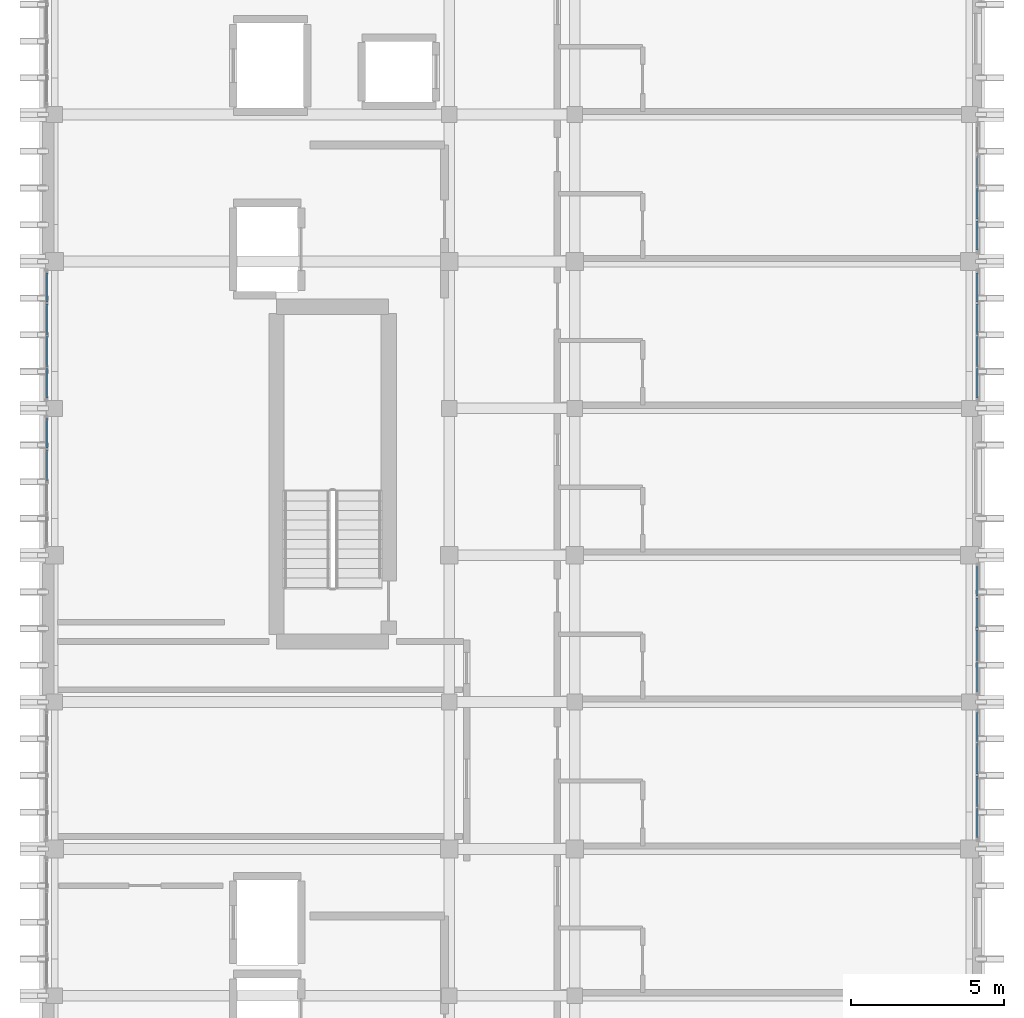
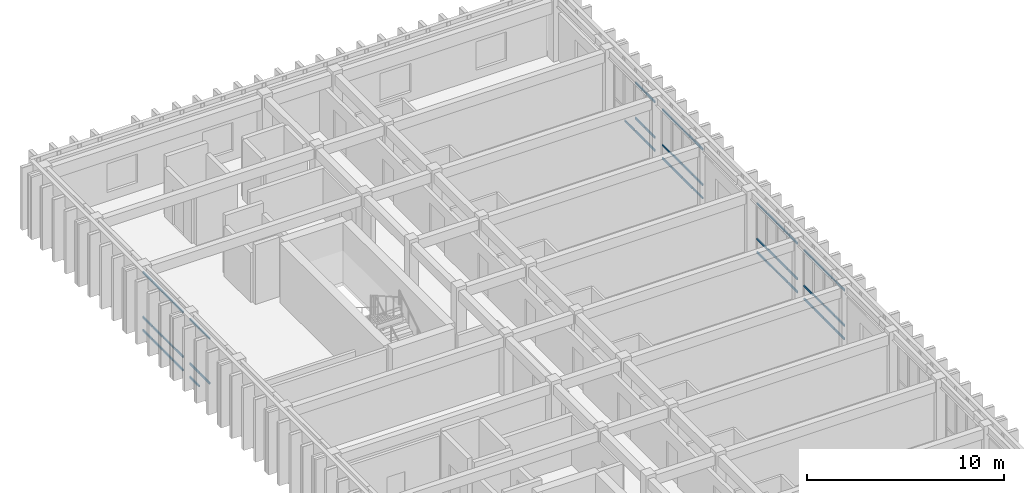
# One storey, part 36 of 49: 60 members, 6 elements without a shape of their own.
"""IFC4 building model written with IfcOpenShell, lengths in metres."""

from ifc_helpers import new_model, si_unit, direction, frame, origin, origin_2d, place, context, subcontext, project, spatial, hollow_rectangle, extrude, material, layer, layer_set, material_profile, profile_set, type_object, element, aggregate, save


model = new_model("IFC4")

# Units and contexts
model_context = context("Model", 3, precision=1e-05, world=origin(), true_north=direction((0.0, 1.0)))
body_context = subcontext(model_context, "Body", "Model", "MODEL_VIEW")
ifc_project = project(units=[si_unit("LENGTHUNIT", "METRE"), si_unit("AREAUNIT", "SQUARE_METRE"), si_unit("VOLUMEUNIT", "CUBIC_METRE"), si_unit("PLANEANGLEUNIT", "RADIAN"), si_unit("MASSUNIT", "GRAM", prefix="KILO")], contexts=[model_context])

# Site, building, storey
site_placement = place(None, origin())
site = spatial("IfcSite", under=ifc_project, at=site_placement, CompositionType="ELEMENT")
building_placement = place(site_placement, origin())
building = spatial("IfcBuilding", under=site, at=building_placement, Name="Nakhvara Creek Congress Hotel", CompositionType="ELEMENT")
storey_placement = place(building_placement, frame((0.0, 0.0, 46.5)))
storey = spatial("IfcBuildingStorey", under=building, at=storey_placement, Name="L11", CompositionType="ELEMENT", Elevation=46.5)

# Curtain wall, members
ifc_material_1 = material(Name="Bronze-anodised aluminium AW-6063-T6 and double-silver low-E glass", Category="aluminium")
ifc_layer = layer(ifc_material_1, 0.199951171875)
ifc_layer_set = layer_set([ifc_layer], Name="Bronze-anodised aluminium AW-6063-T6 and double-silver low-E glass")
curtain_wall_type = type_object("IfcCurtainWallType", Name="CW-HTL-UNIT", PredefinedType="USERDEFINED", material=ifc_layer_set)
curtain_wall_1_placement = place(storey_placement, origin())
curtain_wall_1 = element("IfcCurtainWall", 1, at=curtain_wall_1_placement, inside=storey, type_object=curtain_wall_type, Name="Curtain Wall CW340", ObjectType="UNITISED", PredefinedType="USERDEFINED")
ifc_material_2 = material(Name="Bronze-anodised aluminium AW-6063-T6", Category="aluminium")
ifc_material_profile = material_profile(ifc_material_2, hollow_rectangle(XDim=0.06494140625, YDim=0.1201171875, WallThickness=0.00390625, at=origin_2d()), Name="ALU-TRAN 65x120x4", Category="LoadBearing")
ifc_profile_set = profile_set([ifc_material_profile], Name="Bronze-anodised aluminium AW-6063-T6")
member_type = type_object("IfcMemberType", Name="CW-TRAN-120", PredefinedType="USERDEFINED", material=ifc_profile_set)
member_1_placement = place(storey_placement, frame((179.60009765625, 100.4599609375, 0.032470703125), z_axis=(0.0, -1.0, 0.0), x_axis=(1.0, 0.0, 0.0)))
member_1 = element("IfcMember", 2, at=member_1_placement, type_object=member_type, Name="CW340 transom 1.1", ObjectType="TRANSOM", PredefinedType="USERDEFINED", context=body_context, shape_type="SweptSolid", body=[
    extrude(hollow_rectangle(XDim=0.06494140625, YDim=0.1201171875, WallThickness=0.00390625, at=origin_2d()), origin(), (0.0, 0.0, 1.0), 0.95751953125),
])
member_2_placement = place(storey_placement, frame((179.60009765625, 100.4599609375, 0.85009765625), z_axis=(0.0, -1.0, 0.0), x_axis=(1.0, 0.0, 0.0)))
member_2 = element("IfcMember", 3, at=member_2_placement, type_object=member_type, Name="CW340 transom 1.2", ObjectType="TRANSOM", PredefinedType="USERDEFINED", context=body_context, shape_type="SweptSolid", body=[
    extrude(hollow_rectangle(XDim=0.06494140625, YDim=0.1201171875, WallThickness=0.00390625, at=origin_2d()), origin(), (0.0, 0.0, 1.0), 0.95751953125),
])
member_3_placement = place(storey_placement, frame((179.60009765625, 100.4599609375, 3.03955078125), z_axis=(0.0, -1.0, 0.0), x_axis=(1.0, 0.0, 0.0)))
member_3 = element("IfcMember", 4, at=member_3_placement, type_object=member_type, Name="CW340 transom 1.3", ObjectType="TRANSOM", PredefinedType="USERDEFINED", context=body_context, shape_type="SweptSolid", body=[
    extrude(hollow_rectangle(XDim=0.06494140625, YDim=0.1201171875, WallThickness=0.00390625, at=origin_2d()), origin(), (0.0, 0.0, 1.0), 0.95751953125),
])
member_4_placement = place(storey_placement, frame((179.60009765625, 99.4375, 0.032470703125), z_axis=(0.0, -1.0, 0.0), x_axis=(1.0, 0.0, 0.0)))
member_4 = element("IfcMember", 5, at=member_4_placement, type_object=member_type, Name="CW340 transom 2.1", ObjectType="TRANSOM", PredefinedType="USERDEFINED", context=body_context, shape_type="SweptSolid", body=[
    extrude(hollow_rectangle(XDim=0.06494140625, YDim=0.1201171875, WallThickness=0.00390625, at=origin_2d()), origin(), (0.0, 0.0, 1.0), 0.989990234375),
])
member_5_placement = place(storey_placement, frame((179.60009765625, 99.4375, 0.85009765625), z_axis=(0.0, -1.0, 0.0), x_axis=(1.0, 0.0, 0.0)))
member_5 = element("IfcMember", 6, at=member_5_placement, type_object=member_type, Name="CW340 transom 2.2", ObjectType="TRANSOM", PredefinedType="USERDEFINED", context=body_context, shape_type="SweptSolid", body=[
    extrude(hollow_rectangle(XDim=0.06494140625, YDim=0.1201171875, WallThickness=0.00390625, at=origin_2d()), origin(), (0.0, 0.0, 1.0), 0.989990234375),
])
member_6_placement = place(storey_placement, frame((179.60009765625, 99.4375, 3.03955078125), z_axis=(0.0, -1.0, 0.0), x_axis=(1.0, 0.0, 0.0)))
member_6 = element("IfcMember", 7, at=member_6_placement, type_object=member_type, Name="CW340 transom 2.3", ObjectType="TRANSOM", PredefinedType="USERDEFINED", context=body_context, shape_type="SweptSolid", body=[
    extrude(hollow_rectangle(XDim=0.06494140625, YDim=0.1201171875, WallThickness=0.00390625, at=origin_2d()), origin(), (0.0, 0.0, 1.0), 0.989990234375),
])
member_7_placement = place(storey_placement, frame((179.60009765625, 98.382568359375, 0.032470703125), z_axis=(0.0, -1.0, 0.0), x_axis=(1.0, 0.0, 0.0)))
member_7 = element("IfcMember", 8, at=member_7_placement, type_object=member_type, Name="CW340 transom 3.1", ObjectType="TRANSOM", PredefinedType="USERDEFINED", context=body_context, shape_type="SweptSolid", body=[
    extrude(hollow_rectangle(XDim=0.06494140625, YDim=0.1201171875, WallThickness=0.00390625, at=origin_2d()), origin(), (0.0, 0.0, 1.0), 0.989990234375),
])
member_8_placement = place(storey_placement, frame((179.60009765625, 98.382568359375, 0.85009765625), z_axis=(0.0, -1.0, 0.0), x_axis=(1.0, 0.0, 0.0)))
member_8 = element("IfcMember", 9, at=member_8_placement, type_object=member_type, Name="CW340 transom 3.2", ObjectType="TRANSOM", PredefinedType="USERDEFINED", context=body_context, shape_type="SweptSolid", body=[
    extrude(hollow_rectangle(XDim=0.06494140625, YDim=0.1201171875, WallThickness=0.00390625, at=origin_2d()), origin(), (0.0, 0.0, 1.0), 0.989990234375),
])
member_9_placement = place(storey_placement, frame((179.60009765625, 98.382568359375, 3.03955078125), z_axis=(0.0, -1.0, 0.0), x_axis=(1.0, 0.0, 0.0)))
member_9 = element("IfcMember", 10, at=member_9_placement, type_object=member_type, Name="CW340 transom 3.3", ObjectType="TRANSOM", PredefinedType="USERDEFINED", context=body_context, shape_type="SweptSolid", body=[
    extrude(hollow_rectangle(XDim=0.06494140625, YDim=0.1201171875, WallThickness=0.00390625, at=origin_2d()), origin(), (0.0, 0.0, 1.0), 0.989990234375),
])
member_10_placement = place(storey_placement, frame((179.60009765625, 97.327392578125, 0.032470703125), z_axis=(0.0, -1.0, 0.0), x_axis=(1.0, 0.0, 0.0)))
member_10 = element("IfcMember", 11, at=member_10_placement, type_object=member_type, Name="CW340 transom 4.1", ObjectType="TRANSOM", PredefinedType="USERDEFINED", context=body_context, shape_type="SweptSolid", body=[
    extrude(hollow_rectangle(XDim=0.06494140625, YDim=0.1201171875, WallThickness=0.00390625, at=origin_2d()), origin(), (0.0, 0.0, 1.0), 0.957275390625),
])
member_11_placement = place(storey_placement, frame((179.60009765625, 97.327392578125, 0.85009765625), z_axis=(0.0, -1.0, 0.0), x_axis=(1.0, 0.0, 0.0)))
member_11 = element("IfcMember", 12, at=member_11_placement, type_object=member_type, Name="CW340 transom 4.2", ObjectType="TRANSOM", PredefinedType="USERDEFINED", context=body_context, shape_type="SweptSolid", body=[
    extrude(hollow_rectangle(XDim=0.06494140625, YDim=0.1201171875, WallThickness=0.00390625, at=origin_2d()), origin(), (0.0, 0.0, 1.0), 0.957275390625),
])
member_12_placement = place(storey_placement, frame((179.60009765625, 97.327392578125, 3.03955078125), z_axis=(0.0, -1.0, 0.0), x_axis=(1.0, 0.0, 0.0)))
member_12 = element("IfcMember", 13, at=member_12_placement, type_object=member_type, Name="CW340 transom 4.3", ObjectType="TRANSOM", PredefinedType="USERDEFINED", context=body_context, shape_type="SweptSolid", body=[
    extrude(hollow_rectangle(XDim=0.06494140625, YDim=0.1201171875, WallThickness=0.00390625, at=origin_2d()), origin(), (0.0, 0.0, 1.0), 0.957275390625),
])
aggregate(curtain_wall_1, [member_1, member_2, member_3, member_4, member_5, member_6, member_7, member_8, member_9, member_10, member_11, member_12])

curtain_wall_2_placement = place(storey_placement, origin())
curtain_wall_2 = element("IfcCurtainWall", 14, at=curtain_wall_2_placement, inside=storey, type_object=curtain_wall_type, Name="Curtain Wall CW342", ObjectType="UNITISED", PredefinedType="USERDEFINED")
member_13_placement = place(storey_placement, frame((179.60009765625, 105.22998046875, 0.032470703125), z_axis=(0.0, -1.0, 0.0), x_axis=(1.0, 0.0, 0.0)))
member_13 = element("IfcMember", 15, at=member_13_placement, type_object=member_type, Name="CW342 transom 1.1", ObjectType="TRANSOM", PredefinedType="USERDEFINED", context=body_context, shape_type="SweptSolid", body=[
    extrude(hollow_rectangle(XDim=0.06494140625, YDim=0.1201171875, WallThickness=0.00390625, at=origin_2d()), origin(), (0.0, 0.0, 1.0), 0.95751953125),
])
member_14_placement = place(storey_placement, frame((179.60009765625, 105.22998046875, 0.85009765625), z_axis=(0.0, -1.0, 0.0), x_axis=(1.0, 0.0, 0.0)))
member_14 = element("IfcMember", 16, at=member_14_placement, type_object=member_type, Name="CW342 transom 1.2", ObjectType="TRANSOM", PredefinedType="USERDEFINED", context=body_context, shape_type="SweptSolid", body=[
    extrude(hollow_rectangle(XDim=0.06494140625, YDim=0.1201171875, WallThickness=0.00390625, at=origin_2d()), origin(), (0.0, 0.0, 1.0), 0.95751953125),
])
member_15_placement = place(storey_placement, frame((179.60009765625, 105.22998046875, 3.03955078125), z_axis=(0.0, -1.0, 0.0), x_axis=(1.0, 0.0, 0.0)))
member_15 = element("IfcMember", 17, at=member_15_placement, type_object=member_type, Name="CW342 transom 1.3", ObjectType="TRANSOM", PredefinedType="USERDEFINED", context=body_context, shape_type="SweptSolid", body=[
    extrude(hollow_rectangle(XDim=0.06494140625, YDim=0.1201171875, WallThickness=0.00390625, at=origin_2d()), origin(), (0.0, 0.0, 1.0), 0.95751953125),
])
member_16_placement = place(storey_placement, frame((179.60009765625, 104.20751953125, 0.032470703125), z_axis=(0.0, -1.0, 0.0), x_axis=(1.0, 0.0, 0.0)))
member_16 = element("IfcMember", 18, at=member_16_placement, type_object=member_type, Name="CW342 transom 2.1", ObjectType="TRANSOM", PredefinedType="USERDEFINED", context=body_context, shape_type="SweptSolid", body=[
    extrude(hollow_rectangle(XDim=0.06494140625, YDim=0.1201171875, WallThickness=0.00390625, at=origin_2d()), origin(), (0.0, 0.0, 1.0), 0.989990234375),
])
member_17_placement = place(storey_placement, frame((179.60009765625, 104.20751953125, 0.85009765625), z_axis=(0.0, -1.0, 0.0), x_axis=(1.0, 0.0, 0.0)))
member_17 = element("IfcMember", 19, at=member_17_placement, type_object=member_type, Name="CW342 transom 2.2", ObjectType="TRANSOM", PredefinedType="USERDEFINED", context=body_context, shape_type="SweptSolid", body=[
    extrude(hollow_rectangle(XDim=0.06494140625, YDim=0.1201171875, WallThickness=0.00390625, at=origin_2d()), origin(), (0.0, 0.0, 1.0), 0.989990234375),
])
member_18_placement = place(storey_placement, frame((179.60009765625, 104.20751953125, 3.03955078125), z_axis=(0.0, -1.0, 0.0), x_axis=(1.0, 0.0, 0.0)))
member_18 = element("IfcMember", 20, at=member_18_placement, type_object=member_type, Name="CW342 transom 2.3", ObjectType="TRANSOM", PredefinedType="USERDEFINED", context=body_context, shape_type="SweptSolid", body=[
    extrude(hollow_rectangle(XDim=0.06494140625, YDim=0.1201171875, WallThickness=0.00390625, at=origin_2d()), origin(), (0.0, 0.0, 1.0), 0.989990234375),
])
member_19_placement = place(storey_placement, frame((179.60009765625, 103.152587890625, 0.032470703125), z_axis=(0.0, -1.0, 0.0), x_axis=(1.0, 0.0, 0.0)))
member_19 = element("IfcMember", 21, at=member_19_placement, type_object=member_type, Name="CW342 transom 3.1", ObjectType="TRANSOM", PredefinedType="USERDEFINED", context=body_context, shape_type="SweptSolid", body=[
    extrude(hollow_rectangle(XDim=0.06494140625, YDim=0.1201171875, WallThickness=0.00390625, at=origin_2d()), origin(), (0.0, 0.0, 1.0), 0.989990234375),
])
member_20_placement = place(storey_placement, frame((179.60009765625, 103.152587890625, 0.85009765625), z_axis=(0.0, -1.0, 0.0), x_axis=(1.0, 0.0, 0.0)))
member_20 = element("IfcMember", 22, at=member_20_placement, type_object=member_type, Name="CW342 transom 3.2", ObjectType="TRANSOM", PredefinedType="USERDEFINED", context=body_context, shape_type="SweptSolid", body=[
    extrude(hollow_rectangle(XDim=0.06494140625, YDim=0.1201171875, WallThickness=0.00390625, at=origin_2d()), origin(), (0.0, 0.0, 1.0), 0.989990234375),
])
member_21_placement = place(storey_placement, frame((179.60009765625, 103.152587890625, 3.03955078125), z_axis=(0.0, -1.0, 0.0), x_axis=(1.0, 0.0, 0.0)))
member_21 = element("IfcMember", 23, at=member_21_placement, type_object=member_type, Name="CW342 transom 3.3", ObjectType="TRANSOM", PredefinedType="USERDEFINED", context=body_context, shape_type="SweptSolid", body=[
    extrude(hollow_rectangle(XDim=0.06494140625, YDim=0.1201171875, WallThickness=0.00390625, at=origin_2d()), origin(), (0.0, 0.0, 1.0), 0.989990234375),
])
member_22_placement = place(storey_placement, frame((179.60009765625, 102.097412109375, 0.032470703125), z_axis=(0.0, -1.0, 0.0), x_axis=(1.0, 0.0, 0.0)))
member_22 = element("IfcMember", 24, at=member_22_placement, type_object=member_type, Name="CW342 transom 4.1", ObjectType="TRANSOM", PredefinedType="USERDEFINED", context=body_context, shape_type="SweptSolid", body=[
    extrude(hollow_rectangle(XDim=0.06494140625, YDim=0.1201171875, WallThickness=0.00390625, at=origin_2d()), origin(), (0.0, 0.0, 1.0), 0.95751953125),
])
member_23_placement = place(storey_placement, frame((179.60009765625, 102.097412109375, 0.85009765625), z_axis=(0.0, -1.0, 0.0), x_axis=(1.0, 0.0, 0.0)))
member_23 = element("IfcMember", 25, at=member_23_placement, type_object=member_type, Name="CW342 transom 4.2", ObjectType="TRANSOM", PredefinedType="USERDEFINED", context=body_context, shape_type="SweptSolid", body=[
    extrude(hollow_rectangle(XDim=0.06494140625, YDim=0.1201171875, WallThickness=0.00390625, at=origin_2d()), origin(), (0.0, 0.0, 1.0), 0.95751953125),
])
member_24_placement = place(storey_placement, frame((179.60009765625, 102.097412109375, 3.03955078125), z_axis=(0.0, -1.0, 0.0), x_axis=(1.0, 0.0, 0.0)))
member_24 = element("IfcMember", 26, at=member_24_placement, type_object=member_type, Name="CW342 transom 4.3", ObjectType="TRANSOM", PredefinedType="USERDEFINED", context=body_context, shape_type="SweptSolid", body=[
    extrude(hollow_rectangle(XDim=0.06494140625, YDim=0.1201171875, WallThickness=0.00390625, at=origin_2d()), origin(), (0.0, 0.0, 1.0), 0.95751953125),
])
aggregate(curtain_wall_2, [member_13, member_14, member_15, member_16, member_17, member_18, member_19, member_20, member_21, member_22, member_23, member_24])

curtain_wall_3_placement = place(storey_placement, origin())
curtain_wall_3 = element("IfcCurtainWall", 27, at=curtain_wall_3_placement, inside=storey, type_object=curtain_wall_type, Name="Curtain Wall CW343", ObjectType="UNITISED", PredefinedType="USERDEFINED")
member_25_placement = place(storey_placement, frame((149.199951171875, 108.047607421875, 0.85009765625), z_axis=(0.0, 1.0, 0.0), x_axis=(-1.0, 0.0, 0.0)))
member_25 = element("IfcMember", 28, at=member_25_placement, type_object=member_type, Name="CW343 transom 3.2", ObjectType="TRANSOM", PredefinedType="USERDEFINED", context=body_context, shape_type="SweptSolid", body=[
    extrude(hollow_rectangle(XDim=0.06494140625, YDim=0.1201171875, WallThickness=0.00390625, at=origin_2d()), origin(), (0.0, 0.0, 1.0), 0.989990234375),
])
member_26_placement = place(storey_placement, frame((149.199951171875, 108.047607421875, 3.617431640625), z_axis=(0.0, 1.0, 0.0), x_axis=(-1.0, 0.0, 0.0)))
member_26 = element("IfcMember", 29, at=member_26_placement, type_object=member_type, Name="CW343 transom 3.3", ObjectType="TRANSOM", PredefinedType="USERDEFINED", context=body_context, shape_type="SweptSolid", body=[
    extrude(hollow_rectangle(XDim=0.06494140625, YDim=0.1201171875, WallThickness=0.00390625, at=origin_2d()), origin(), (0.0, 0.0, 1.0), 0.989990234375),
])
member_27_placement = place(storey_placement, frame((149.199951171875, 109.1025390625, 0.032470703125), z_axis=(0.0, 1.0, 0.0), x_axis=(-1.0, 0.0, 0.0)))
member_27 = element("IfcMember", 30, at=member_27_placement, type_object=member_type, Name="CW343 transom 4.1", ObjectType="TRANSOM", PredefinedType="USERDEFINED", context=body_context, shape_type="SweptSolid", body=[
    extrude(hollow_rectangle(XDim=0.06494140625, YDim=0.1201171875, WallThickness=0.00390625, at=origin_2d()), origin(), (0.0, 0.0, 1.0), 0.95751953125),
])
member_28_placement = place(storey_placement, frame((149.199951171875, 109.1025390625, 0.85009765625), z_axis=(0.0, 1.0, 0.0), x_axis=(-1.0, 0.0, 0.0)))
member_28 = element("IfcMember", 31, at=member_28_placement, type_object=member_type, Name="CW343 transom 4.2", ObjectType="TRANSOM", PredefinedType="USERDEFINED", context=body_context, shape_type="SweptSolid", body=[
    extrude(hollow_rectangle(XDim=0.06494140625, YDim=0.1201171875, WallThickness=0.00390625, at=origin_2d()), origin(), (0.0, 0.0, 1.0), 0.95751953125),
])
member_29_placement = place(storey_placement, frame((149.199951171875, 109.1025390625, 3.617431640625), z_axis=(0.0, 1.0, 0.0), x_axis=(-1.0, 0.0, 0.0)))
member_29 = element("IfcMember", 32, at=member_29_placement, type_object=member_type, Name="CW343 transom 4.3", ObjectType="TRANSOM", PredefinedType="USERDEFINED", context=body_context, shape_type="SweptSolid", body=[
    extrude(hollow_rectangle(XDim=0.06494140625, YDim=0.1201171875, WallThickness=0.00390625, at=origin_2d()), origin(), (0.0, 0.0, 1.0), 0.95751953125),
])
aggregate(curtain_wall_3, [member_25, member_26, member_27, member_28, member_29])

curtain_wall_4_placement = place(storey_placement, origin())
curtain_wall_4 = element("IfcCurtainWall", 33, at=curtain_wall_4_placement, inside=storey, type_object=curtain_wall_type, Name="Curtain Wall CW344", ObjectType="UNITISED", PredefinedType="USERDEFINED")
member_30_placement = place(storey_placement, frame((179.60009765625, 114.830078125, 0.032470703125), z_axis=(0.0, -1.0, 0.0), x_axis=(1.0, 0.0, 0.0)))
member_30 = element("IfcMember", 34, at=member_30_placement, type_object=member_type, Name="CW344 transom 1.1", ObjectType="TRANSOM", PredefinedType="USERDEFINED", context=body_context, shape_type="SweptSolid", body=[
    extrude(hollow_rectangle(XDim=0.06494140625, YDim=0.1201171875, WallThickness=0.00390625, at=origin_2d()), origin(), (0.0, 0.0, 1.0), 0.95751953125),
])
member_31_placement = place(storey_placement, frame((179.60009765625, 114.830078125, 0.85009765625), z_axis=(0.0, -1.0, 0.0), x_axis=(1.0, 0.0, 0.0)))
member_31 = element("IfcMember", 35, at=member_31_placement, type_object=member_type, Name="CW344 transom 1.2", ObjectType="TRANSOM", PredefinedType="USERDEFINED", context=body_context, shape_type="SweptSolid", body=[
    extrude(hollow_rectangle(XDim=0.06494140625, YDim=0.1201171875, WallThickness=0.00390625, at=origin_2d()), origin(), (0.0, 0.0, 1.0), 0.95751953125),
])
member_32_placement = place(storey_placement, frame((179.60009765625, 114.830078125, 3.03955078125), z_axis=(0.0, -1.0, 0.0), x_axis=(1.0, 0.0, 0.0)))
member_32 = element("IfcMember", 36, at=member_32_placement, type_object=member_type, Name="CW344 transom 1.3", ObjectType="TRANSOM", PredefinedType="USERDEFINED", context=body_context, shape_type="SweptSolid", body=[
    extrude(hollow_rectangle(XDim=0.06494140625, YDim=0.1201171875, WallThickness=0.00390625, at=origin_2d()), origin(), (0.0, 0.0, 1.0), 0.95751953125),
])
member_33_placement = place(storey_placement, frame((179.60009765625, 113.8076171875, 0.032470703125), z_axis=(0.0, -1.0, 0.0), x_axis=(1.0, 0.0, 0.0)))
member_33 = element("IfcMember", 37, at=member_33_placement, type_object=member_type, Name="CW344 transom 2.1", ObjectType="TRANSOM", PredefinedType="USERDEFINED", context=body_context, shape_type="SweptSolid", body=[
    extrude(hollow_rectangle(XDim=0.06494140625, YDim=0.1201171875, WallThickness=0.00390625, at=origin_2d()), origin(), (0.0, 0.0, 1.0), 0.990234375),
])
member_34_placement = place(storey_placement, frame((179.60009765625, 113.8076171875, 0.85009765625), z_axis=(0.0, -1.0, 0.0), x_axis=(1.0, 0.0, 0.0)))
member_34 = element("IfcMember", 38, at=member_34_placement, type_object=member_type, Name="CW344 transom 2.2", ObjectType="TRANSOM", PredefinedType="USERDEFINED", context=body_context, shape_type="SweptSolid", body=[
    extrude(hollow_rectangle(XDim=0.06494140625, YDim=0.1201171875, WallThickness=0.00390625, at=origin_2d()), origin(), (0.0, 0.0, 1.0), 0.990234375),
])
member_35_placement = place(storey_placement, frame((179.60009765625, 113.8076171875, 3.03955078125), z_axis=(0.0, -1.0, 0.0), x_axis=(1.0, 0.0, 0.0)))
member_35 = element("IfcMember", 39, at=member_35_placement, type_object=member_type, Name="CW344 transom 2.3", ObjectType="TRANSOM", PredefinedType="USERDEFINED", context=body_context, shape_type="SweptSolid", body=[
    extrude(hollow_rectangle(XDim=0.06494140625, YDim=0.1201171875, WallThickness=0.00390625, at=origin_2d()), origin(), (0.0, 0.0, 1.0), 0.990234375),
])
member_36_placement = place(storey_placement, frame((179.60009765625, 112.75244140625, 0.032470703125), z_axis=(0.0, -1.0, 0.0), x_axis=(1.0, 0.0, 0.0)))
member_36 = element("IfcMember", 40, at=member_36_placement, type_object=member_type, Name="CW344 transom 3.1", ObjectType="TRANSOM", PredefinedType="USERDEFINED", context=body_context, shape_type="SweptSolid", body=[
    extrude(hollow_rectangle(XDim=0.06494140625, YDim=0.1201171875, WallThickness=0.00390625, at=origin_2d()), origin(), (0.0, 0.0, 1.0), 0.989990234375),
])
member_37_placement = place(storey_placement, frame((179.60009765625, 112.75244140625, 0.85009765625), z_axis=(0.0, -1.0, 0.0), x_axis=(1.0, 0.0, 0.0)))
member_37 = element("IfcMember", 41, at=member_37_placement, type_object=member_type, Name="CW344 transom 3.2", ObjectType="TRANSOM", PredefinedType="USERDEFINED", context=body_context, shape_type="SweptSolid", body=[
    extrude(hollow_rectangle(XDim=0.06494140625, YDim=0.1201171875, WallThickness=0.00390625, at=origin_2d()), origin(), (0.0, 0.0, 1.0), 0.989990234375),
])
member_38_placement = place(storey_placement, frame((179.60009765625, 112.75244140625, 3.03955078125), z_axis=(0.0, -1.0, 0.0), x_axis=(1.0, 0.0, 0.0)))
member_38 = element("IfcMember", 42, at=member_38_placement, type_object=member_type, Name="CW344 transom 3.3", ObjectType="TRANSOM", PredefinedType="USERDEFINED", context=body_context, shape_type="SweptSolid", body=[
    extrude(hollow_rectangle(XDim=0.06494140625, YDim=0.1201171875, WallThickness=0.00390625, at=origin_2d()), origin(), (0.0, 0.0, 1.0), 0.989990234375),
])
member_39_placement = place(storey_placement, frame((179.60009765625, 111.697509765625, 0.032470703125), z_axis=(0.0, -1.0, 0.0), x_axis=(1.0, 0.0, 0.0)))
member_39 = element("IfcMember", 43, at=member_39_placement, type_object=member_type, Name="CW344 transom 4.1", ObjectType="TRANSOM", PredefinedType="USERDEFINED", context=body_context, shape_type="SweptSolid", body=[
    extrude(hollow_rectangle(XDim=0.06494140625, YDim=0.1201171875, WallThickness=0.00390625, at=origin_2d()), origin(), (0.0, 0.0, 1.0), 0.95751953125),
])
member_40_placement = place(storey_placement, frame((179.60009765625, 111.697509765625, 0.85009765625), z_axis=(0.0, -1.0, 0.0), x_axis=(1.0, 0.0, 0.0)))
member_40 = element("IfcMember", 44, at=member_40_placement, type_object=member_type, Name="CW344 transom 4.2", ObjectType="TRANSOM", PredefinedType="USERDEFINED", context=body_context, shape_type="SweptSolid", body=[
    extrude(hollow_rectangle(XDim=0.06494140625, YDim=0.1201171875, WallThickness=0.00390625, at=origin_2d()), origin(), (0.0, 0.0, 1.0), 0.95751953125),
])
member_41_placement = place(storey_placement, frame((179.60009765625, 111.697509765625, 3.03955078125), z_axis=(0.0, -1.0, 0.0), x_axis=(1.0, 0.0, 0.0)))
member_41 = element("IfcMember", 45, at=member_41_placement, type_object=member_type, Name="CW344 transom 4.3", ObjectType="TRANSOM", PredefinedType="USERDEFINED", context=body_context, shape_type="SweptSolid", body=[
    extrude(hollow_rectangle(XDim=0.06494140625, YDim=0.1201171875, WallThickness=0.00390625, at=origin_2d()), origin(), (0.0, 0.0, 1.0), 0.95751953125),
])
aggregate(curtain_wall_4, [member_30, member_31, member_32, member_33, member_34, member_35, member_36, member_37, member_38, member_39, member_40, member_41])

curtain_wall_5_placement = place(storey_placement, origin())
curtain_wall_5 = element("IfcCurtainWall", 46, at=curtain_wall_5_placement, inside=storey, type_object=curtain_wall_type, Name="Curtain Wall CW345", ObjectType="UNITISED", PredefinedType="USERDEFINED")
member_42_placement = place(storey_placement, frame((149.199951171875, 110.739990234375, 0.032470703125), z_axis=(0.0, 1.0, 0.0), x_axis=(-1.0, 0.0, 0.0)))
member_42 = element("IfcMember", 47, at=member_42_placement, type_object=member_type, Name="CW345 transom 1.1", ObjectType="TRANSOM", PredefinedType="USERDEFINED", context=body_context, shape_type="SweptSolid", body=[
    extrude(hollow_rectangle(XDim=0.06494140625, YDim=0.1201171875, WallThickness=0.00390625, at=origin_2d()), origin(), (0.0, 0.0, 1.0), 0.95751953125),
])
member_43_placement = place(storey_placement, frame((149.199951171875, 110.739990234375, 0.85009765625), z_axis=(0.0, 1.0, 0.0), x_axis=(-1.0, 0.0, 0.0)))
member_43 = element("IfcMember", 48, at=member_43_placement, type_object=member_type, Name="CW345 transom 1.2", ObjectType="TRANSOM", PredefinedType="USERDEFINED", context=body_context, shape_type="SweptSolid", body=[
    extrude(hollow_rectangle(XDim=0.06494140625, YDim=0.1201171875, WallThickness=0.00390625, at=origin_2d()), origin(), (0.0, 0.0, 1.0), 0.95751953125),
])
member_44_placement = place(storey_placement, frame((149.199951171875, 110.739990234375, 3.617431640625), z_axis=(0.0, 1.0, 0.0), x_axis=(-1.0, 0.0, 0.0)))
member_44 = element("IfcMember", 49, at=member_44_placement, type_object=member_type, Name="CW345 transom 1.3", ObjectType="TRANSOM", PredefinedType="USERDEFINED", context=body_context, shape_type="SweptSolid", body=[
    extrude(hollow_rectangle(XDim=0.06494140625, YDim=0.1201171875, WallThickness=0.00390625, at=origin_2d()), origin(), (0.0, 0.0, 1.0), 0.95751953125),
])
member_45_placement = place(storey_placement, frame((149.199951171875, 111.762451171875, 0.032470703125), z_axis=(0.0, 1.0, 0.0), x_axis=(-1.0, 0.0, 0.0)))
member_45 = element("IfcMember", 50, at=member_45_placement, type_object=member_type, Name="CW345 transom 2.1", ObjectType="TRANSOM", PredefinedType="USERDEFINED", context=body_context, shape_type="SweptSolid", body=[
    extrude(hollow_rectangle(XDim=0.06494140625, YDim=0.1201171875, WallThickness=0.00390625, at=origin_2d()), origin(), (0.0, 0.0, 1.0), 0.989990234375),
])
member_46_placement = place(storey_placement, frame((149.199951171875, 111.762451171875, 0.85009765625), z_axis=(0.0, 1.0, 0.0), x_axis=(-1.0, 0.0, 0.0)))
member_46 = element("IfcMember", 51, at=member_46_placement, type_object=member_type, Name="CW345 transom 2.2", ObjectType="TRANSOM", PredefinedType="USERDEFINED", context=body_context, shape_type="SweptSolid", body=[
    extrude(hollow_rectangle(XDim=0.06494140625, YDim=0.1201171875, WallThickness=0.00390625, at=origin_2d()), origin(), (0.0, 0.0, 1.0), 0.989990234375),
])
member_47_placement = place(storey_placement, frame((149.199951171875, 111.762451171875, 3.617431640625), z_axis=(0.0, 1.0, 0.0), x_axis=(-1.0, 0.0, 0.0)))
member_47 = element("IfcMember", 52, at=member_47_placement, type_object=member_type, Name="CW345 transom 2.3", ObjectType="TRANSOM", PredefinedType="USERDEFINED", context=body_context, shape_type="SweptSolid", body=[
    extrude(hollow_rectangle(XDim=0.06494140625, YDim=0.1201171875, WallThickness=0.00390625, at=origin_2d()), origin(), (0.0, 0.0, 1.0), 0.989990234375),
])
member_48_placement = place(storey_placement, frame((149.199951171875, 112.8173828125, 0.032470703125), z_axis=(0.0, 1.0, 0.0), x_axis=(-1.0, 0.0, 0.0)))
member_48 = element("IfcMember", 53, at=member_48_placement, type_object=member_type, Name="CW345 transom 3.1", ObjectType="TRANSOM", PredefinedType="USERDEFINED", context=body_context, shape_type="SweptSolid", body=[
    extrude(hollow_rectangle(XDim=0.06494140625, YDim=0.1201171875, WallThickness=0.00390625, at=origin_2d()), origin(), (0.0, 0.0, 1.0), 0.990234375),
])
member_49_placement = place(storey_placement, frame((149.199951171875, 112.8173828125, 0.85009765625), z_axis=(0.0, 1.0, 0.0), x_axis=(-1.0, 0.0, 0.0)))
member_49 = element("IfcMember", 54, at=member_49_placement, type_object=member_type, Name="CW345 transom 3.2", ObjectType="TRANSOM", PredefinedType="USERDEFINED", context=body_context, shape_type="SweptSolid", body=[
    extrude(hollow_rectangle(XDim=0.06494140625, YDim=0.1201171875, WallThickness=0.00390625, at=origin_2d()), origin(), (0.0, 0.0, 1.0), 0.990234375),
])
member_50_placement = place(storey_placement, frame((149.199951171875, 112.8173828125, 3.617431640625), z_axis=(0.0, 1.0, 0.0), x_axis=(-1.0, 0.0, 0.0)))
member_50 = element("IfcMember", 55, at=member_50_placement, type_object=member_type, Name="CW345 transom 3.3", ObjectType="TRANSOM", PredefinedType="USERDEFINED", context=body_context, shape_type="SweptSolid", body=[
    extrude(hollow_rectangle(XDim=0.06494140625, YDim=0.1201171875, WallThickness=0.00390625, at=origin_2d()), origin(), (0.0, 0.0, 1.0), 0.990234375),
])
member_51_placement = place(storey_placement, frame((149.199951171875, 113.87255859375, 0.032470703125), z_axis=(0.0, 1.0, 0.0), x_axis=(-1.0, 0.0, 0.0)))
member_51 = element("IfcMember", 56, at=member_51_placement, type_object=member_type, Name="CW345 transom 4.1", ObjectType="TRANSOM", PredefinedType="USERDEFINED", context=body_context, shape_type="SweptSolid", body=[
    extrude(hollow_rectangle(XDim=0.06494140625, YDim=0.1201171875, WallThickness=0.00390625, at=origin_2d()), origin(), (0.0, 0.0, 1.0), 0.95751953125),
])
member_52_placement = place(storey_placement, frame((149.199951171875, 113.87255859375, 0.85009765625), z_axis=(0.0, 1.0, 0.0), x_axis=(-1.0, 0.0, 0.0)))
member_52 = element("IfcMember", 57, at=member_52_placement, type_object=member_type, Name="CW345 transom 4.2", ObjectType="TRANSOM", PredefinedType="USERDEFINED", context=body_context, shape_type="SweptSolid", body=[
    extrude(hollow_rectangle(XDim=0.06494140625, YDim=0.1201171875, WallThickness=0.00390625, at=origin_2d()), origin(), (0.0, 0.0, 1.0), 0.95751953125),
])
member_53_placement = place(storey_placement, frame((149.199951171875, 113.87255859375, 3.617431640625), z_axis=(0.0, 1.0, 0.0), x_axis=(-1.0, 0.0, 0.0)))
member_53 = element("IfcMember", 58, at=member_53_placement, type_object=member_type, Name="CW345 transom 4.3", ObjectType="TRANSOM", PredefinedType="USERDEFINED", context=body_context, shape_type="SweptSolid", body=[
    extrude(hollow_rectangle(XDim=0.06494140625, YDim=0.1201171875, WallThickness=0.00390625, at=origin_2d()), origin(), (0.0, 0.0, 1.0), 0.95751953125),
])
aggregate(curtain_wall_5, [member_42, member_43, member_44, member_45, member_46, member_47, member_48, member_49, member_50, member_51, member_52, member_53])

curtain_wall_6_placement = place(storey_placement, origin())
curtain_wall_6 = element("IfcCurtainWall", 59, at=curtain_wall_6_placement, inside=storey, type_object=curtain_wall_type, Name="Curtain Wall CW346", ObjectType="UNITISED", PredefinedType="USERDEFINED")
member_54_placement = place(storey_placement, frame((179.60009765625, 118.637451171875, 0.032470703125), z_axis=(0.0, -1.0, 0.0), x_axis=(1.0, 0.0, 0.0)))
member_54 = element("IfcMember", 60, at=member_54_placement, type_object=member_type, Name="CW346 transom 2.1", ObjectType="TRANSOM", PredefinedType="USERDEFINED", context=body_context, shape_type="SweptSolid", body=[
    extrude(hollow_rectangle(XDim=0.06494140625, YDim=0.1201171875, WallThickness=0.00390625, at=origin_2d()), origin(), (0.0, 0.0, 1.0), 0.989990234375),
])
member_55_placement = place(storey_placement, frame((179.60009765625, 117.58251953125, 0.032470703125), z_axis=(0.0, -1.0, 0.0), x_axis=(1.0, 0.0, 0.0)))
member_55 = element("IfcMember", 61, at=member_55_placement, type_object=member_type, Name="CW346 transom 3.1", ObjectType="TRANSOM", PredefinedType="USERDEFINED", context=body_context, shape_type="SweptSolid", body=[
    extrude(hollow_rectangle(XDim=0.06494140625, YDim=0.1201171875, WallThickness=0.00390625, at=origin_2d()), origin(), (0.0, 0.0, 1.0), 0.989990234375),
])
member_56_placement = place(storey_placement, frame((179.60009765625, 117.58251953125, 0.85009765625), z_axis=(0.0, -1.0, 0.0), x_axis=(1.0, 0.0, 0.0)))
member_56 = element("IfcMember", 62, at=member_56_placement, type_object=member_type, Name="CW346 transom 3.2", ObjectType="TRANSOM", PredefinedType="USERDEFINED", context=body_context, shape_type="SweptSolid", body=[
    extrude(hollow_rectangle(XDim=0.06494140625, YDim=0.1201171875, WallThickness=0.00390625, at=origin_2d()), origin(), (0.0, 0.0, 1.0), 0.989990234375),
])
member_57_placement = place(storey_placement, frame((179.60009765625, 117.58251953125, 3.03955078125), z_axis=(0.0, -1.0, 0.0), x_axis=(1.0, 0.0, 0.0)))
member_57 = element("IfcMember", 63, at=member_57_placement, type_object=member_type, Name="CW346 transom 3.3", ObjectType="TRANSOM", PredefinedType="USERDEFINED", context=body_context, shape_type="SweptSolid", body=[
    extrude(hollow_rectangle(XDim=0.06494140625, YDim=0.1201171875, WallThickness=0.00390625, at=origin_2d()), origin(), (0.0, 0.0, 1.0), 0.989990234375),
])
member_58_placement = place(storey_placement, frame((179.60009765625, 116.527587890625, 0.032470703125), z_axis=(0.0, -1.0, 0.0), x_axis=(1.0, 0.0, 0.0)))
member_58 = element("IfcMember", 64, at=member_58_placement, type_object=member_type, Name="CW346 transom 4.1", ObjectType="TRANSOM", PredefinedType="USERDEFINED", context=body_context, shape_type="SweptSolid", body=[
    extrude(hollow_rectangle(XDim=0.06494140625, YDim=0.1201171875, WallThickness=0.00390625, at=origin_2d()), origin(), (0.0, 0.0, 1.0), 0.95751953125),
])
member_59_placement = place(storey_placement, frame((179.60009765625, 116.527587890625, 0.85009765625), z_axis=(0.0, -1.0, 0.0), x_axis=(1.0, 0.0, 0.0)))
member_59 = element("IfcMember", 65, at=member_59_placement, type_object=member_type, Name="CW346 transom 4.2", ObjectType="TRANSOM", PredefinedType="USERDEFINED", context=body_context, shape_type="SweptSolid", body=[
    extrude(hollow_rectangle(XDim=0.06494140625, YDim=0.1201171875, WallThickness=0.00390625, at=origin_2d()), origin(), (0.0, 0.0, 1.0), 0.95751953125),
])
member_60_placement = place(storey_placement, frame((179.60009765625, 116.527587890625, 3.03955078125), z_axis=(0.0, -1.0, 0.0), x_axis=(1.0, 0.0, 0.0)))
member_60 = element("IfcMember", 66, at=member_60_placement, type_object=member_type, Name="CW346 transom 4.3", ObjectType="TRANSOM", PredefinedType="USERDEFINED", context=body_context, shape_type="SweptSolid", body=[
    extrude(hollow_rectangle(XDim=0.06494140625, YDim=0.1201171875, WallThickness=0.00390625, at=origin_2d()), origin(), (0.0, 0.0, 1.0), 0.95751953125),
])
aggregate(curtain_wall_6, [member_54, member_55, member_56, member_57, member_58, member_59, member_60])

save(model, "model.ifc")
